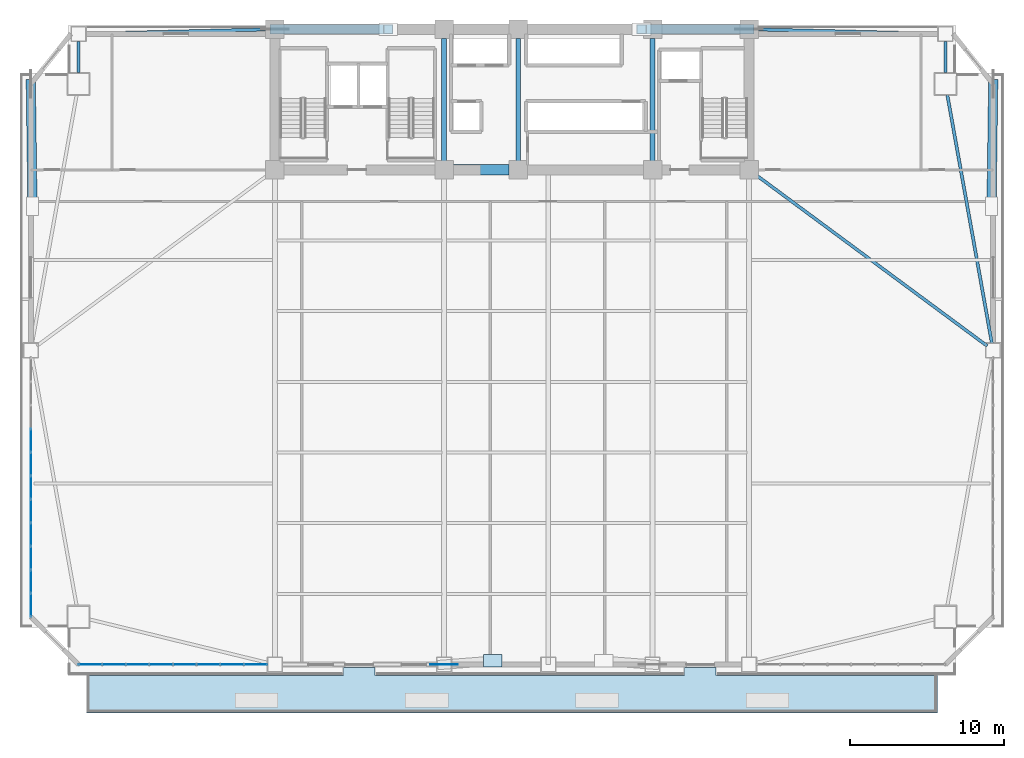
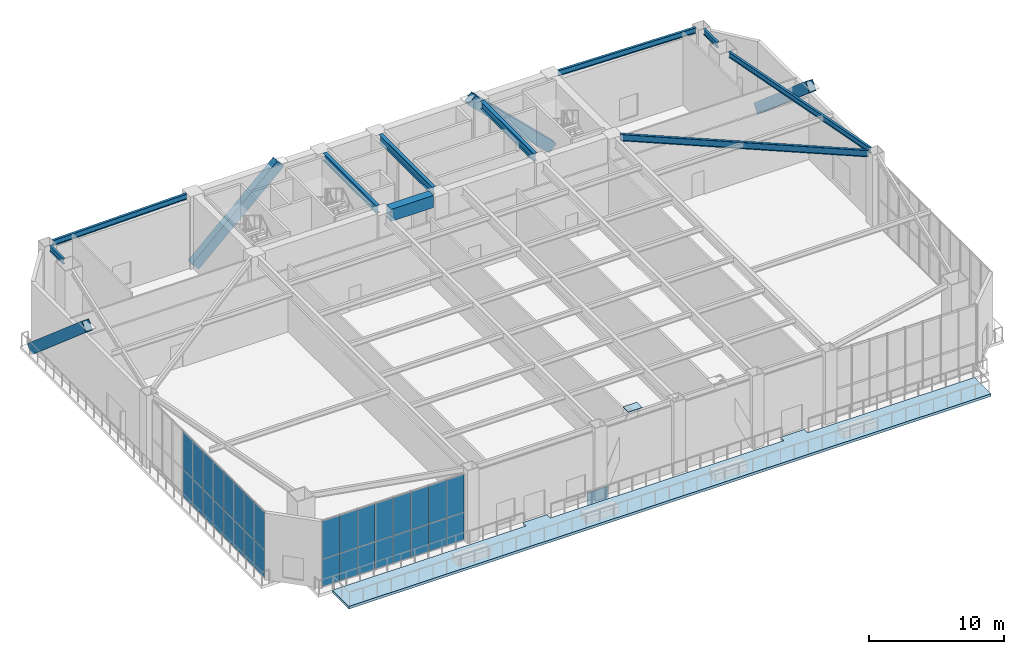
# One storey, part 12 of 22: 34 plates, 10 beams, 4 members, 1 slab, 2 elements without a shape of their own.
"""IFC4 building model written with IfcOpenShell, lengths in metres."""

from ifc_helpers import new_model, si_unit, direction, frame, origin, origin_2d, place, context, subcontext, project, spatial, polyline, rectangle, hollow_rectangle, i_section, outline, extrude, source, transform, mapped, material, layer, layer_set, material_profile, profile_set, type_object, element, aggregate, save


model = new_model("IFC4")

# Units and contexts
model_context = context("Model", 3, precision=1e-05, world=origin(), true_north=direction((0.0, 1.0)))
body_context = subcontext(model_context, "Body", "Model", "MODEL_VIEW")
ifc_project = project(units=[si_unit("LENGTHUNIT", "METRE"), si_unit("AREAUNIT", "SQUARE_METRE"), si_unit("VOLUMEUNIT", "CUBIC_METRE"), si_unit("PLANEANGLEUNIT", "RADIAN"), si_unit("MASSUNIT", "GRAM", prefix="KILO")], contexts=[model_context])

# Site, building, storey
site_placement = place(None, origin())
site = spatial("IfcSite", under=ifc_project, at=site_placement, CompositionType="ELEMENT")
building_placement = place(site_placement, origin())
building = spatial("IfcBuilding", under=site, at=building_placement, Name="Giltprow Tower", CompositionType="ELEMENT")
storey_placement = place(building_placement, frame((0.0, 0.0, 72.800048828125)))
storey = spatial("IfcBuildingStorey", under=building, at=storey_placement, Name="L18", CompositionType="ELEMENT", Elevation=72.800048828125)

# Beams
ifc_material_1 = material(Name="Concrete C60", Category="concrete")
ifc_material_profile_1 = material_profile(ifc_material_1, rectangle(XDim=0.699951171875, YDim=1.10009765625, at=origin_2d()), Name="RC 1100x700")
ifc_profile_set_1 = profile_set([ifc_material_profile_1], Name="Concrete C60")
beam_type_1 = type_object("IfcBeamType", Name="BM-CPL-RC1100", PredefinedType="LINTEL", material=ifc_profile_set_1)
shared_shape_1 = source(origin(), body_context, "Body", "SweptSolid", [
    extrude(rectangle(XDim=0.699951171875, YDim=1.10009765625, at=origin_2d()), origin(), (0.0, 0.0, 1.0), 3.6298828125),
])
beam_1_placement = place(storey_placement, frame((31.385009765625, 37.449951171875, 6.030029296875), z_axis=(1.0, 0.0, 0.0), x_axis=(0.0, 1.0, 0.0)))
element("IfcBeam", 1, at=beam_1_placement, inside=storey, type_object=beam_type_1, Name="L18 Core Coupling Beam CB-1", PredefinedType="LINTEL", context=body_context, shape_type="MappedRepresentation", body=[
    mapped(shared_shape_1, transform((0.0, 0.0, 0.0), x_axis=(1.0, 0.0, 0.0), y_axis=(0.0, 1.0, 0.0), z_axis=(0.0, 0.0, 1.0), scale=1.0)),
])
ifc_material_2 = material(Name="Structural steel Q355B", Category="steel")
ifc_material_profile_2 = material_profile(ifc_material_2, i_section(OverallWidth=0.300048828125, OverallDepth=0.699951171875, WebThickness=0.012939453125, FlangeThickness=0.02392578125, at=origin_2d()), Name="HN 700x300x13x24")
ifc_profile_set_2 = profile_set([ifc_material_profile_2], Name="Structural steel Q355B")
beam_type_2 = type_object("IfcBeamType", Name="BM-GIRD-HN700", PredefinedType="BEAM", material=ifc_profile_set_2)
shared_shape_2 = source(origin(), body_context, "Body", "SweptSolid", [
    extrude(i_section(OverallWidth=0.300048828125, OverallDepth=0.699951171875, WebThickness=0.012939453125, FlangeThickness=0.02392578125, at=origin_2d()), origin(), (0.0, 0.0, 1.0), 7.93017578125),
])
for number, where, z_axis, x_axis, name in (
    (2, (30.800048828125, 38.034912109375, 6.22998046875), (0.0, 1.0, 0.0), (-1.0, 0.0, 0.0), "L18 Core Tie Girder M1"),
    (3, (35.60009765625, 38.034912109375, 6.22998046875), (0.0, 1.0, 0.0), (-1.0, 0.0, 0.0), "L18 Core Tie Girder M2"),
    (4, (44.300048828125, 38.034912109375, 6.22998046875), (0.0, 1.0, 0.0), (-1.0, 0.0, 0.0), "L18 Core Tie Girder M3"),
):
    element("IfcBeam", number, at=place(storey_placement, frame(where, z_axis=z_axis, x_axis=x_axis)), inside=storey, type_object=beam_type_2, Name=name, PredefinedType="BEAM", context=body_context, shape_type="MappedRepresentation", body=[
        mapped(shared_shape_2, transform((0.0, 0.0, 0.0), x_axis=(1.0, 0.0, 0.0), y_axis=(0.0, 1.0, 0.0), z_axis=(0.0, 0.0, 1.0), scale=1.0)),
    ])
ifc_material_profile_3 = material_profile(ifc_material_2, i_section(OverallWidth=0.199951171875, OverallDepth=0.5, WebThickness=0.010009765625, FlangeThickness=0.01611328125, at=origin_2d()), Name="HN 500x200x10x16")
ifc_profile_set_3 = profile_set([ifc_material_profile_3], Name="Structural steel Q355B")
beam_type_3 = type_object("IfcBeamType", Name="BM-SPAN-HN500", PredefinedType="SPANDREL", material=ifc_profile_set_3)
shared_shape_3 = source(origin(), body_context, "Body", "SweptSolid", [
    extrude(i_section(OverallWidth=0.199951171875, OverallDepth=0.5, WebThickness=0.010009765625, FlangeThickness=0.01611328125, at=origin_2d()), origin(), (0.0, 0.0, 1.0), 16.305419921875),
])
beam_2_placement = place(storey_placement, frame((66.27490234375, 26.23193359375, 6.329833984375), z_axis=(-0.176621289492, 0.984278883294, 0.0), x_axis=(-0.984278883294, -0.176621289492, 0.0)))
element("IfcBeam", 5, at=beam_2_placement, inside=storey, type_object=beam_type_3, Name="L18 Perimeter Spandrel Beam E_MID-MC_NE", PredefinedType="SPANDREL", context=body_context, shape_type="MappedRepresentation", body=[
    mapped(shared_shape_3, transform((0.0, 0.0, 0.0), x_axis=(1.0, 0.0, 0.0), y_axis=(0.0, 1.0, 0.0), z_axis=(0.0, 0.0, 1.0), scale=1.0)),
])
shared_shape_4 = source(origin(), body_context, "Body", "SweptSolid", [
    extrude(i_section(OverallWidth=0.199951171875, OverallDepth=0.5, WebThickness=0.010009765625, FlangeThickness=0.01611328125, at=origin_2d()), origin(), (0.0, 0.0, 1.0), 2.02587890625),
])
for number, where, z_axis, x_axis, name in (
    (6, (63.264892578125, 43.739013671875, 6.329833984375), (0.0, 1.0, 0.0), (-1.0, 0.0, 0.0), "L18 Perimeter Spandrel Beam MC_NE-N_E"),
    (7, (7.135986328125, 45.764892578125, 6.329833984375), (0.0, -1.0, 0.0), (1.0, 0.0, 0.0), "L18 Perimeter Spandrel Beam N_W-MC_NW"),
):
    element("IfcBeam", number, at=place(storey_placement, frame(where, z_axis=z_axis, x_axis=x_axis)), inside=storey, type_object=beam_type_3, Name=name, PredefinedType="SPANDREL", context=body_context, shape_type="MappedRepresentation", body=[
        mapped(shared_shape_4, transform((0.0, 0.0, 0.0), x_axis=(1.0, 0.0, 0.0), y_axis=(0.0, 1.0, 0.0), z_axis=(0.0, 0.0, 1.0), scale=1.0)),
    ])
shared_shape_5 = source(origin(), body_context, "Body", "SweptSolid", [
    extrude(i_section(OverallWidth=0.199951171875, OverallDepth=0.5, WebThickness=0.010009765625, FlangeThickness=0.01611328125, at=origin_2d()), origin(), (0.0, 0.0, 1.0), 11.64697265625),
])
beam_3_placement = place(storey_placement, frame((7.62109375, 46.260986328125, 6.329833984375), z_axis=(0.999721416114, 0.023602757523, 0.0), x_axis=(-0.023602757523, 0.999721416114, 0.0)))
element("IfcBeam", 8, at=beam_3_placement, inside=storey, type_object=beam_type_3, Name="L18 North Wing Spandrel W", PredefinedType="SPANDREL", context=body_context, shape_type="MappedRepresentation", body=[
    mapped(shared_shape_5, transform((0.0, 0.0, 0.0), x_axis=(1.0, 0.0, 0.0), y_axis=(0.0, 1.0, 0.0), z_axis=(0.0, 0.0, 1.0), scale=1.0)),
])
shared_shape_6 = source(origin(), body_context, "Body", "SweptSolid", [
    extrude(i_section(OverallWidth=0.199951171875, OverallDepth=0.5, WebThickness=0.010009765625, FlangeThickness=0.01611328125, at=origin_2d()), origin(), (0.0, 0.0, 1.0), 11.648193359375),
])
beam_4_placement = place(storey_placement, frame((51.135009765625, 46.535888671875, 6.329833984375), z_axis=(0.999721474492, -0.023600284714, 0.0), x_axis=(0.023600284714, 0.999721474492, 0.0)))
element("IfcBeam", 9, at=beam_4_placement, inside=storey, type_object=beam_type_3, Name="L18 North Wing Spandrel E", PredefinedType="SPANDREL", context=body_context, shape_type="MappedRepresentation", body=[
    mapped(shared_shape_6, transform((0.0, 0.0, 0.0), x_axis=(1.0, 0.0, 0.0), y_axis=(0.0, 1.0, 0.0), z_axis=(0.0, 0.0, 1.0), scale=1.0)),
])
ifc_material_profile_4 = material_profile(ifc_material_2, i_section(OverallWidth=0.199951171875, OverallDepth=0.60009765625, WebThickness=0.010986328125, FlangeThickness=0.01708984375, at=origin_2d()), Name="HN 600x200x11x17")
ifc_profile_set_4 = profile_set([ifc_material_profile_4], Name="Structural steel Q355B")
beam_type_4 = type_object("IfcBeamType", Name="BM-GIRD-HN600", PredefinedType="BEAM", material=ifc_profile_set_4)
shared_shape_7 = source(origin(), body_context, "Body", "SweptSolid", [
    extrude(i_section(OverallWidth=0.199951171875, OverallDepth=0.60009765625, WebThickness=0.010986328125, FlangeThickness=0.01708984375, at=origin_2d()), origin(), (0.0, 0.0, 1.0), 18.5966796875),
])
beam_5_placement = place(storey_placement, frame((65.970947265625, 26.04296875, 6.280029296875), z_axis=(-0.803960274963, 0.59468300487, 0.0), x_axis=(-0.59468300487, -0.803960274963, 0.0)))
element("IfcBeam", 10, at=beam_5_placement, inside=storey, type_object=beam_type_4, Name="L18 East Wing Primary Girder", PredefinedType="BEAM", context=body_context, shape_type="MappedRepresentation", body=[
    mapped(shared_shape_7, transform((0.0, 0.0, 0.0), x_axis=(1.0, 0.0, 0.0), y_axis=(0.0, 1.0, 0.0), z_axis=(0.0, 0.0, 1.0), scale=1.0)),
])

# Members
ifc_material_3 = material(Name="Structural steel Q420GJC", Category="steel")
ifc_material_profile_5 = material_profile(ifc_material_3, hollow_rectangle(XDim=0.60009765625, YDim=0.89990234375, WallThickness=0.0400390625, at=origin_2d()), Name="RHS 900x600x40")
ifc_profile_set_5 = profile_set([ifc_material_profile_5], Name="Structural steel Q420GJC")
member_type = type_object("IfcMemberType", Name="MBR-MEGA-RHS900", PredefinedType="BRACE", material=ifc_profile_set_5)
shared_shape_8 = source(origin(), body_context, "Body", "SweptSolid", [
    extrude(hollow_rectangle(XDim=0.60009765625, YDim=0.89990234375, WallThickness=0.0400390625, at=origin_2d()), origin(), (0.0, 0.0, 1.0), 10.0029296875),
])
member_1_placement = place(storey_placement, frame((19.85009765625, 46.550048828125, -0.14013671875), z_axis=(0.733386073215, 0.0, 0.679812376773), x_axis=(0.0, 1.0, 0.0)))
element("IfcMember", 11, at=member_1_placement, inside=storey, type_object=member_type, Name="L18 Chevron Mega-Brace N-L", PredefinedType="BRACE", context=body_context, shape_type="MappedRepresentation", body=[
    mapped(shared_shape_8, transform((0.0, 0.0, 0.0), x_axis=(1.0, 0.0, 0.0), y_axis=(0.0, 1.0, 0.0), z_axis=(0.0, 0.0, 1.0), scale=1.0)),
])
shared_shape_9 = source(origin(), body_context, "Body", "SweptSolid", [
    extrude(hollow_rectangle(XDim=0.60009765625, YDim=0.89990234375, WallThickness=0.0400390625, at=origin_2d()), origin(), (0.0, 0.0, 1.0), 9.732666015625),
])
member_2_placement = place(storey_placement, frame((50.550048828125, 46.550048828125, -0.14013671875), z_axis=(-0.715435371366, 0.0, 0.698678917242), x_axis=(0.0, -1.0, 0.0)))
element("IfcMember", 12, at=member_2_placement, inside=storey, type_object=member_type, Name="L18 Chevron Mega-Brace N-R", PredefinedType="BRACE", context=body_context, shape_type="MappedRepresentation", body=[
    mapped(shared_shape_9, transform((0.0, 0.0, 0.0), x_axis=(1.0, 0.0, 0.0), y_axis=(0.0, 1.0, 0.0), z_axis=(0.0, 0.0, 1.0), scale=1.0)),
])
shared_shape_10 = source(origin(), body_context, "Body", "SweptSolid", [
    extrude(hollow_rectangle(XDim=0.60009765625, YDim=0.89990234375, WallThickness=0.0400390625, at=origin_2d()), origin(), (0.0, 0.0, 1.0), 10.432373046875),
])
for number, where, z_axis, x_axis, name in (
    (13, (4.0400390625, 43.00390625, 0.0), (0.010437374307, -0.758300985794, 0.651821046117), (0.99990528744, 0.013762854001, 0.0), "L18 Chevron Mega-Brace W-R"),
    (14, (66.361083984375, 43.00390625, 0.0), (-0.010460773933, -0.758300800366, 0.651820886726), (0.999904862304, -0.013793706553, 0.0), "L18 Chevron Mega-Brace E-R"),
):
    element("IfcMember", number, at=place(storey_placement, frame(where, z_axis=z_axis, x_axis=x_axis)), inside=storey, type_object=member_type, Name=name, PredefinedType="BRACE", context=body_context, shape_type="MappedRepresentation", body=[
        mapped(shared_shape_10, transform((0.0, 0.0, 0.0), x_axis=(1.0, 0.0, 0.0), y_axis=(0.0, 1.0, 0.0), z_axis=(0.0, 0.0, 1.0), scale=1.0)),
    ])

# Slab
ifc_material_4 = material(Name="Concrete C40", Category="concrete")
ifc_layer_1 = layer(ifc_material_4, 0.239990234375, Name="Concrete C40")
ifc_layer_set_1 = layer_set([ifc_layer_1], Name="Concrete C40")
slab_type = type_object("IfcSlabType", Name="SLB-SKYGARDEN-ROOF-240", PredefinedType="FLOOR", material=ifc_layer_set_1)
slab_placement = place(storey_placement, frame((0.0, 0.0, -0.239990234375)))
element("IfcSlab", 15, at=slab_placement, inside=storey, type_object=slab_type, Name="L18 Planted Sky Garden Terrace Slab", PredefinedType="FLOOR", context=body_context, shape_type="SweptSolid", body=[
    extrude(outline(polyline([(62.763916015625, 4.708984375), (62.763916015625, 2.259033203125), (7.635986328125, 2.259033203125), (7.635986328125, 4.708984375), (24.280029296875, 4.708984375), (24.280029296875, 5.208984375), (26.320068359375, 5.208984375), (26.320068359375, 4.708984375), (46.3798828125, 4.708984375), (46.3798828125, 5.208984375), (48.419921875, 5.208984375), (48.419921875, 4.708984375), (62.763916015625, 4.708984375)])), origin(), (0.0, 0.0, 1.0), 0.239990234375),
])

# Plates
plate_type_1 = type_object("IfcPlateType", Name="PLT-NODE-MBN1", PredefinedType="USERDEFINED", material=ifc_material_3)
shared_shape_11 = source(origin(), body_context, "Body", "SweptSolid", [
    extrude(rectangle(XDim=1.800048828125, YDim=0.050048828125, at=origin_2d()), origin(), (0.0, 0.0, 1.0), 1.14990234375),
])
plate_1_placement = place(storey_placement, frame((30.800048828125, 5.408935546875, -0.574951171875), z_axis=(0.0, 0.0, 1.0), x_axis=(1.0, 0.0, 0.0)))
element("IfcPlate", 16, at=plate_1_placement, inside=storey, type_object=plate_type_1, Name="Mega-Brace Node L18-S-LA", ObjectType="GUSSET", PredefinedType="USERDEFINED", context=body_context, shape_type="MappedRepresentation", body=[
    mapped(shared_shape_11, transform((0.0, 0.0, 0.0), x_axis=(1.0, 0.0, 0.0), y_axis=(0.0, 1.0, 0.0), z_axis=(0.0, 0.0, 1.0), scale=1.0)),
])
plate_type_2 = type_object("IfcPlateType", Name="PLT-CAP-SEAL", PredefinedType="USERDEFINED", material=ifc_material_3)
shared_shape_12 = source(origin(), body_context, "Body", "SweptSolid", [
    extrude(rectangle(XDim=1.199951171875, YDim=0.800048828125, at=origin_2d()), origin(), (0.0, 0.0, 1.0), 0.034912109375),
])
plate_2_placement = place(storey_placement, frame((33.944091796875, 5.654052734375, 6.78271484375), z_axis=(0.0, 0.0, 1.0), x_axis=(1.0, 0.0, 0.0)))
element("IfcPlate", 17, at=plate_2_placement, inside=storey, type_object=plate_type_2, Name="Mega-Brace Node L18-S-LB", ObjectType="SPLICE", PredefinedType="USERDEFINED", context=body_context, shape_type="MappedRepresentation", body=[
    mapped(shared_shape_12, transform((0.0, 0.0, 0.0), x_axis=(1.0, 0.0, 0.0), y_axis=(0.0, 1.0, 0.0), z_axis=(0.0, 0.0, 1.0), scale=1.0)),
])

# Curtain wall, plates
ifc_material_5 = material(Name="Anodized bronze", Category="metal")
ifc_layer_2 = layer(ifc_material_5, 0.179931640625, Name="Anodized bronze")
ifc_layer_set_2 = layer_set([ifc_layer_2], Name="Anodized bronze")
curtain_wall_type = type_object("IfcCurtainWallType", Name="CW-SKYGARDEN", PredefinedType="NOTDEFINED", material=ifc_layer_set_2)
curtain_wall_1_placement = place(storey_placement, origin())
curtain_wall_1 = element("IfcCurtainWall", 18, at=curtain_wall_1_placement, inside=storey, type_object=curtain_wall_type, Name="L18 South Recessed Curtain Wall 1", PredefinedType="NOTDEFINED")
ifc_material_6 = material(Name="Insulated glass", Category="glass")
plate_type_3 = type_object("IfcPlateType", Name="CW-PANEL-IGU-28", PredefinedType="CURTAIN_PANEL", material=ifc_material_6)
shared_shape_13 = source(origin(), body_context, "Body", "SweptSolid", [
    extrude(rectangle(XDim=1.4970703125, YDim=0.028076171875, at=origin_2d()), origin(), (0.0, 0.0, 1.0), 2.47705078125),
])
plate_3_placement = place(storey_placement, frame((7.89892578125, 5.408935546875, 0.054443359375), z_axis=(0.0, 0.0, 1.0), x_axis=(1.0, 0.0, 0.0)))
plate_3 = element("IfcPlate", 19, at=plate_3_placement, type_object=plate_type_3, Name="L18 South Recessed Curtain Wall 1 Glazing Panel 1-1", PredefinedType="CURTAIN_PANEL", context=body_context, shape_type="MappedRepresentation", body=[
    mapped(shared_shape_13, transform((0.0, 0.0, 0.0), x_axis=(1.0, 0.0, 0.0), y_axis=(0.0, 1.0, 0.0), z_axis=(0.0, 0.0, 1.0), scale=1.0)),
])
plate_4_placement = place(storey_placement, frame((9.426025390625, 5.408935546875, 0.054443359375), z_axis=(0.0, 0.0, 1.0), x_axis=(1.0, 0.0, 0.0)))
plate_4 = element("IfcPlate", 20, at=plate_4_placement, type_object=plate_type_3, Name="L18 South Recessed Curtain Wall 1 Glazing Panel 2-1", PredefinedType="CURTAIN_PANEL", context=body_context, shape_type="MappedRepresentation", body=[
    mapped(shared_shape_13, transform((0.0, 0.0, 0.0), x_axis=(1.0, 0.0, 0.0), y_axis=(0.0, 1.0, 0.0), z_axis=(0.0, 0.0, 1.0), scale=1.0)),
])
plate_5_placement = place(storey_placement, frame((10.952880859375, 5.408935546875, 0.054443359375), z_axis=(0.0, 0.0, 1.0), x_axis=(1.0, 0.0, 0.0)))
plate_5 = element("IfcPlate", 21, at=plate_5_placement, type_object=plate_type_3, Name="L18 South Recessed Curtain Wall 1 Glazing Panel 3-1", PredefinedType="CURTAIN_PANEL", context=body_context, shape_type="MappedRepresentation", body=[
    mapped(shared_shape_13, transform((0.0, 0.0, 0.0), x_axis=(1.0, 0.0, 0.0), y_axis=(0.0, 1.0, 0.0), z_axis=(0.0, 0.0, 1.0), scale=1.0)),
])
plate_6_placement = place(storey_placement, frame((12.47998046875, 5.408935546875, 0.054443359375), z_axis=(0.0, 0.0, 1.0), x_axis=(1.0, 0.0, 0.0)))
plate_6 = element("IfcPlate", 22, at=plate_6_placement, type_object=plate_type_3, Name="L18 South Recessed Curtain Wall 1 Glazing Panel 4-1", PredefinedType="CURTAIN_PANEL", context=body_context, shape_type="MappedRepresentation", body=[
    mapped(shared_shape_13, transform((0.0, 0.0, 0.0), x_axis=(1.0, 0.0, 0.0), y_axis=(0.0, 1.0, 0.0), z_axis=(0.0, 0.0, 1.0), scale=1.0)),
])
plate_7_placement = place(storey_placement, frame((14.006103515625, 5.408935546875, 0.054443359375), z_axis=(0.0, 0.0, 1.0), x_axis=(1.0, 0.0, 0.0)))
plate_7 = element("IfcPlate", 23, at=plate_7_placement, type_object=plate_type_3, Name="L18 South Recessed Curtain Wall 1 Glazing Panel 5-1", PredefinedType="CURTAIN_PANEL", context=body_context, shape_type="MappedRepresentation", body=[
    mapped(shared_shape_13, transform((0.0, 0.0, 0.0), x_axis=(1.0, 0.0, 0.0), y_axis=(0.0, 1.0, 0.0), z_axis=(0.0, 0.0, 1.0), scale=1.0)),
])
plate_8_placement = place(storey_placement, frame((15.532958984375, 5.408935546875, 0.054443359375), z_axis=(0.0, 0.0, 1.0), x_axis=(1.0, 0.0, 0.0)))
plate_8 = element("IfcPlate", 24, at=plate_8_placement, type_object=plate_type_3, Name="L18 South Recessed Curtain Wall 1 Glazing Panel 6-1", PredefinedType="CURTAIN_PANEL", context=body_context, shape_type="MappedRepresentation", body=[
    mapped(shared_shape_13, transform((0.0, 0.0, 0.0), x_axis=(1.0, 0.0, 0.0), y_axis=(0.0, 1.0, 0.0), z_axis=(0.0, 0.0, 1.0), scale=1.0)),
])
plate_9_placement = place(storey_placement, frame((17.06005859375, 5.408935546875, 0.054443359375), z_axis=(0.0, 0.0, 1.0), x_axis=(1.0, 0.0, 0.0)))
plate_9 = element("IfcPlate", 25, at=plate_9_placement, type_object=plate_type_3, Name="L18 South Recessed Curtain Wall 1 Glazing Panel 7-1", PredefinedType="CURTAIN_PANEL", context=body_context, shape_type="MappedRepresentation", body=[
    mapped(shared_shape_13, transform((0.0, 0.0, 0.0), x_axis=(1.0, 0.0, 0.0), y_axis=(0.0, 1.0, 0.0), z_axis=(0.0, 0.0, 1.0), scale=1.0)),
])
plate_10_placement = place(storey_placement, frame((18.5869140625, 5.408935546875, 0.054443359375), z_axis=(0.0, 0.0, 1.0), x_axis=(1.0, 0.0, 0.0)))
plate_10 = element("IfcPlate", 26, at=plate_10_placement, type_object=plate_type_3, Name="L18 South Recessed Curtain Wall 1 Glazing Panel 8-1", PredefinedType="CURTAIN_PANEL", context=body_context, shape_type="MappedRepresentation", body=[
    mapped(shared_shape_13, transform((0.0, 0.0, 0.0), x_axis=(1.0, 0.0, 0.0), y_axis=(0.0, 1.0, 0.0), z_axis=(0.0, 0.0, 1.0), scale=1.0)),
])
shared_shape_14 = source(origin(), body_context, "Body", "SweptSolid", [
    extrude(rectangle(XDim=1.4970703125, YDim=0.028076171875, at=origin_2d()), origin(), (0.0, 0.0, 1.0), 3.447021484375),
])
plate_11_placement = place(storey_placement, frame((7.89892578125, 5.408935546875, 2.55859375), z_axis=(0.0, 0.0, 1.0), x_axis=(1.0, 0.0, 0.0)))
plate_11 = element("IfcPlate", 27, at=plate_11_placement, type_object=plate_type_3, Name="L18 South Recessed Curtain Wall 1 Glazing Panel 1-2", PredefinedType="CURTAIN_PANEL", context=body_context, shape_type="MappedRepresentation", body=[
    mapped(shared_shape_14, transform((0.0, 0.0, 0.0), x_axis=(1.0, 0.0, 0.0), y_axis=(0.0, 1.0, 0.0), z_axis=(0.0, 0.0, 1.0), scale=1.0)),
])
plate_12_placement = place(storey_placement, frame((9.426025390625, 5.408935546875, 2.55859375), z_axis=(0.0, 0.0, 1.0), x_axis=(1.0, 0.0, 0.0)))
plate_12 = element("IfcPlate", 28, at=plate_12_placement, type_object=plate_type_3, Name="L18 South Recessed Curtain Wall 1 Glazing Panel 2-2", PredefinedType="CURTAIN_PANEL", context=body_context, shape_type="MappedRepresentation", body=[
    mapped(shared_shape_14, transform((0.0, 0.0, 0.0), x_axis=(1.0, 0.0, 0.0), y_axis=(0.0, 1.0, 0.0), z_axis=(0.0, 0.0, 1.0), scale=1.0)),
])
plate_13_placement = place(storey_placement, frame((10.952880859375, 5.408935546875, 2.55859375), z_axis=(0.0, 0.0, 1.0), x_axis=(1.0, 0.0, 0.0)))
plate_13 = element("IfcPlate", 29, at=plate_13_placement, type_object=plate_type_3, Name="L18 South Recessed Curtain Wall 1 Glazing Panel 3-2", PredefinedType="CURTAIN_PANEL", context=body_context, shape_type="MappedRepresentation", body=[
    mapped(shared_shape_14, transform((0.0, 0.0, 0.0), x_axis=(1.0, 0.0, 0.0), y_axis=(0.0, 1.0, 0.0), z_axis=(0.0, 0.0, 1.0), scale=1.0)),
])
plate_14_placement = place(storey_placement, frame((12.47998046875, 5.408935546875, 2.55859375), z_axis=(0.0, 0.0, 1.0), x_axis=(1.0, 0.0, 0.0)))
plate_14 = element("IfcPlate", 30, at=plate_14_placement, type_object=plate_type_3, Name="L18 South Recessed Curtain Wall 1 Glazing Panel 4-2", PredefinedType="CURTAIN_PANEL", context=body_context, shape_type="MappedRepresentation", body=[
    mapped(shared_shape_14, transform((0.0, 0.0, 0.0), x_axis=(1.0, 0.0, 0.0), y_axis=(0.0, 1.0, 0.0), z_axis=(0.0, 0.0, 1.0), scale=1.0)),
])
plate_15_placement = place(storey_placement, frame((14.006103515625, 5.408935546875, 2.55859375), z_axis=(0.0, 0.0, 1.0), x_axis=(1.0, 0.0, 0.0)))
plate_15 = element("IfcPlate", 31, at=plate_15_placement, type_object=plate_type_3, Name="L18 South Recessed Curtain Wall 1 Glazing Panel 5-2", PredefinedType="CURTAIN_PANEL", context=body_context, shape_type="MappedRepresentation", body=[
    mapped(shared_shape_14, transform((0.0, 0.0, 0.0), x_axis=(1.0, 0.0, 0.0), y_axis=(0.0, 1.0, 0.0), z_axis=(0.0, 0.0, 1.0), scale=1.0)),
])
plate_16_placement = place(storey_placement, frame((15.532958984375, 5.408935546875, 2.55859375), z_axis=(0.0, 0.0, 1.0), x_axis=(1.0, 0.0, 0.0)))
plate_16 = element("IfcPlate", 32, at=plate_16_placement, type_object=plate_type_3, Name="L18 South Recessed Curtain Wall 1 Glazing Panel 6-2", PredefinedType="CURTAIN_PANEL", context=body_context, shape_type="MappedRepresentation", body=[
    mapped(shared_shape_14, transform((0.0, 0.0, 0.0), x_axis=(1.0, 0.0, 0.0), y_axis=(0.0, 1.0, 0.0), z_axis=(0.0, 0.0, 1.0), scale=1.0)),
])
plate_17_placement = place(storey_placement, frame((17.06005859375, 5.408935546875, 2.55859375), z_axis=(0.0, 0.0, 1.0), x_axis=(1.0, 0.0, 0.0)))
plate_17 = element("IfcPlate", 33, at=plate_17_placement, type_object=plate_type_3, Name="L18 South Recessed Curtain Wall 1 Glazing Panel 7-2", PredefinedType="CURTAIN_PANEL", context=body_context, shape_type="MappedRepresentation", body=[
    mapped(shared_shape_14, transform((0.0, 0.0, 0.0), x_axis=(1.0, 0.0, 0.0), y_axis=(0.0, 1.0, 0.0), z_axis=(0.0, 0.0, 1.0), scale=1.0)),
])
plate_18_placement = place(storey_placement, frame((18.5869140625, 5.408935546875, 2.55859375), z_axis=(0.0, 0.0, 1.0), x_axis=(1.0, 0.0, 0.0)))
plate_18 = element("IfcPlate", 34, at=plate_18_placement, type_object=plate_type_3, Name="L18 South Recessed Curtain Wall 1 Glazing Panel 8-2", PredefinedType="CURTAIN_PANEL", context=body_context, shape_type="MappedRepresentation", body=[
    mapped(shared_shape_14, transform((0.0, 0.0, 0.0), x_axis=(1.0, 0.0, 0.0), y_axis=(0.0, 1.0, 0.0), z_axis=(0.0, 0.0, 1.0), scale=1.0)),
])
aggregate(curtain_wall_1, [plate_3, plate_11, plate_4, plate_12, plate_5, plate_13, plate_6, plate_14, plate_7, plate_15, plate_8, plate_16, plate_9, plate_17, plate_10, plate_18])

curtain_wall_2_placement = place(storey_placement, origin())
curtain_wall_2 = element("IfcCurtainWall", 35, at=curtain_wall_2_placement, inside=storey, type_object=curtain_wall_type, Name="L18 W Sky Garden Glazing", PredefinedType="NOTDEFINED")
shared_shape_15 = source(origin(), body_context, "Body", "SweptSolid", [
    extrude(rectangle(XDim=1.492919921875, YDim=0.028076171875, at=origin_2d()), origin(), (0.0, 0.0, 1.0), 2.47705078125),
])
plate_19_placement = place(storey_placement, frame((4.0400390625, 9.26611328125, 0.054443359375), z_axis=(0.0, 0.0, 1.0), x_axis=(0.0, 1.0, 0.0)))
plate_19 = element("IfcPlate", 36, at=plate_19_placement, type_object=plate_type_3, Name="L18 W Sky Garden Glazing Glazing Panel 1-1", PredefinedType="CURTAIN_PANEL", context=body_context, shape_type="MappedRepresentation", body=[
    mapped(shared_shape_15, transform((0.0, 0.0, 0.0), x_axis=(1.0, 0.0, 0.0), y_axis=(0.0, 1.0, 0.0), z_axis=(0.0, 0.0, 1.0), scale=1.0)),
])
plate_20_placement = place(storey_placement, frame((4.0400390625, 10.7890625, 0.054443359375), z_axis=(0.0, 0.0, 1.0), x_axis=(0.0, 1.0, 0.0)))
plate_20 = element("IfcPlate", 37, at=plate_20_placement, type_object=plate_type_3, Name="L18 W Sky Garden Glazing Glazing Panel 2-1", PredefinedType="CURTAIN_PANEL", context=body_context, shape_type="MappedRepresentation", body=[
    mapped(shared_shape_15, transform((0.0, 0.0, 0.0), x_axis=(1.0, 0.0, 0.0), y_axis=(0.0, 1.0, 0.0), z_axis=(0.0, 0.0, 1.0), scale=1.0)),
])
plate_21_placement = place(storey_placement, frame((4.0400390625, 12.31201171875, 0.054443359375), z_axis=(0.0, 0.0, 1.0), x_axis=(0.0, 1.0, 0.0)))
plate_21 = element("IfcPlate", 38, at=plate_21_placement, type_object=plate_type_3, Name="L18 W Sky Garden Glazing Glazing Panel 3-1", PredefinedType="CURTAIN_PANEL", context=body_context, shape_type="MappedRepresentation", body=[
    mapped(shared_shape_15, transform((0.0, 0.0, 0.0), x_axis=(1.0, 0.0, 0.0), y_axis=(0.0, 1.0, 0.0), z_axis=(0.0, 0.0, 1.0), scale=1.0)),
])
plate_22_placement = place(storey_placement, frame((4.0400390625, 13.8349609375, 0.054443359375), z_axis=(0.0, 0.0, 1.0), x_axis=(0.0, 1.0, 0.0)))
plate_22 = element("IfcPlate", 39, at=plate_22_placement, type_object=plate_type_3, Name="L18 W Sky Garden Glazing Glazing Panel 4-1", PredefinedType="CURTAIN_PANEL", context=body_context, shape_type="MappedRepresentation", body=[
    mapped(shared_shape_15, transform((0.0, 0.0, 0.0), x_axis=(1.0, 0.0, 0.0), y_axis=(0.0, 1.0, 0.0), z_axis=(0.0, 0.0, 1.0), scale=1.0)),
])
plate_23_placement = place(storey_placement, frame((4.0400390625, 15.35693359375, 0.054443359375), z_axis=(0.0, 0.0, 1.0), x_axis=(0.0, 1.0, 0.0)))
plate_23 = element("IfcPlate", 40, at=plate_23_placement, type_object=plate_type_3, Name="L18 W Sky Garden Glazing Glazing Panel 5-1", PredefinedType="CURTAIN_PANEL", context=body_context, shape_type="MappedRepresentation", body=[
    mapped(shared_shape_15, transform((0.0, 0.0, 0.0), x_axis=(1.0, 0.0, 0.0), y_axis=(0.0, 1.0, 0.0), z_axis=(0.0, 0.0, 1.0), scale=1.0)),
])
plate_24_placement = place(storey_placement, frame((4.0400390625, 16.8798828125, 0.054443359375), z_axis=(0.0, 0.0, 1.0), x_axis=(0.0, 1.0, 0.0)))
plate_24 = element("IfcPlate", 41, at=plate_24_placement, type_object=plate_type_3, Name="L18 W Sky Garden Glazing Glazing Panel 6-1", PredefinedType="CURTAIN_PANEL", context=body_context, shape_type="MappedRepresentation", body=[
    mapped(shared_shape_15, transform((0.0, 0.0, 0.0), x_axis=(1.0, 0.0, 0.0), y_axis=(0.0, 1.0, 0.0), z_axis=(0.0, 0.0, 1.0), scale=1.0)),
])
plate_25_placement = place(storey_placement, frame((4.0400390625, 18.403076171875, 0.054443359375), z_axis=(0.0, 0.0, 1.0), x_axis=(0.0, 1.0, 0.0)))
plate_25 = element("IfcPlate", 42, at=plate_25_placement, type_object=plate_type_3, Name="L18 W Sky Garden Glazing Glazing Panel 7-1", PredefinedType="CURTAIN_PANEL", context=body_context, shape_type="MappedRepresentation", body=[
    mapped(shared_shape_15, transform((0.0, 0.0, 0.0), x_axis=(1.0, 0.0, 0.0), y_axis=(0.0, 1.0, 0.0), z_axis=(0.0, 0.0, 1.0), scale=1.0)),
])
plate_26_placement = place(storey_placement, frame((4.0400390625, 19.925048828125, 0.054443359375), z_axis=(0.0, 0.0, 1.0), x_axis=(0.0, 1.0, 0.0)))
plate_26 = element("IfcPlate", 43, at=plate_26_placement, type_object=plate_type_3, Name="L18 W Sky Garden Glazing Glazing Panel 8-1", PredefinedType="CURTAIN_PANEL", context=body_context, shape_type="MappedRepresentation", body=[
    mapped(shared_shape_15, transform((0.0, 0.0, 0.0), x_axis=(1.0, 0.0, 0.0), y_axis=(0.0, 1.0, 0.0), z_axis=(0.0, 0.0, 1.0), scale=1.0)),
])
shared_shape_16 = source(origin(), body_context, "Body", "SweptSolid", [
    extrude(rectangle(XDim=1.492919921875, YDim=0.028076171875, at=origin_2d()), origin(), (0.0, 0.0, 1.0), 3.447021484375),
])
plate_27_placement = place(storey_placement, frame((4.0400390625, 9.26611328125, 2.55859375), z_axis=(0.0, 0.0, 1.0), x_axis=(0.0, 1.0, 0.0)))
plate_27 = element("IfcPlate", 44, at=plate_27_placement, type_object=plate_type_3, Name="L18 W Sky Garden Glazing Glazing Panel 1-2", PredefinedType="CURTAIN_PANEL", context=body_context, shape_type="MappedRepresentation", body=[
    mapped(shared_shape_16, transform((0.0, 0.0, 0.0), x_axis=(1.0, 0.0, 0.0), y_axis=(0.0, 1.0, 0.0), z_axis=(0.0, 0.0, 1.0), scale=1.0)),
])
plate_28_placement = place(storey_placement, frame((4.0400390625, 10.7890625, 2.55859375), z_axis=(0.0, 0.0, 1.0), x_axis=(0.0, 1.0, 0.0)))
plate_28 = element("IfcPlate", 45, at=plate_28_placement, type_object=plate_type_3, Name="L18 W Sky Garden Glazing Glazing Panel 2-2", PredefinedType="CURTAIN_PANEL", context=body_context, shape_type="MappedRepresentation", body=[
    mapped(shared_shape_16, transform((0.0, 0.0, 0.0), x_axis=(1.0, 0.0, 0.0), y_axis=(0.0, 1.0, 0.0), z_axis=(0.0, 0.0, 1.0), scale=1.0)),
])
plate_29_placement = place(storey_placement, frame((4.0400390625, 12.31201171875, 2.55859375), z_axis=(0.0, 0.0, 1.0), x_axis=(0.0, 1.0, 0.0)))
plate_29 = element("IfcPlate", 46, at=plate_29_placement, type_object=plate_type_3, Name="L18 W Sky Garden Glazing Glazing Panel 3-2", PredefinedType="CURTAIN_PANEL", context=body_context, shape_type="MappedRepresentation", body=[
    mapped(shared_shape_16, transform((0.0, 0.0, 0.0), x_axis=(1.0, 0.0, 0.0), y_axis=(0.0, 1.0, 0.0), z_axis=(0.0, 0.0, 1.0), scale=1.0)),
])
plate_30_placement = place(storey_placement, frame((4.0400390625, 13.8349609375, 2.55859375), z_axis=(0.0, 0.0, 1.0), x_axis=(0.0, 1.0, 0.0)))
plate_30 = element("IfcPlate", 47, at=plate_30_placement, type_object=plate_type_3, Name="L18 W Sky Garden Glazing Glazing Panel 4-2", PredefinedType="CURTAIN_PANEL", context=body_context, shape_type="MappedRepresentation", body=[
    mapped(shared_shape_16, transform((0.0, 0.0, 0.0), x_axis=(1.0, 0.0, 0.0), y_axis=(0.0, 1.0, 0.0), z_axis=(0.0, 0.0, 1.0), scale=1.0)),
])
plate_31_placement = place(storey_placement, frame((4.0400390625, 15.35693359375, 2.55859375), z_axis=(0.0, 0.0, 1.0), x_axis=(0.0, 1.0, 0.0)))
plate_31 = element("IfcPlate", 48, at=plate_31_placement, type_object=plate_type_3, Name="L18 W Sky Garden Glazing Glazing Panel 5-2", PredefinedType="CURTAIN_PANEL", context=body_context, shape_type="MappedRepresentation", body=[
    mapped(shared_shape_16, transform((0.0, 0.0, 0.0), x_axis=(1.0, 0.0, 0.0), y_axis=(0.0, 1.0, 0.0), z_axis=(0.0, 0.0, 1.0), scale=1.0)),
])
plate_32_placement = place(storey_placement, frame((4.0400390625, 16.8798828125, 2.55859375), z_axis=(0.0, 0.0, 1.0), x_axis=(0.0, 1.0, 0.0)))
plate_32 = element("IfcPlate", 49, at=plate_32_placement, type_object=plate_type_3, Name="L18 W Sky Garden Glazing Glazing Panel 6-2", PredefinedType="CURTAIN_PANEL", context=body_context, shape_type="MappedRepresentation", body=[
    mapped(shared_shape_16, transform((0.0, 0.0, 0.0), x_axis=(1.0, 0.0, 0.0), y_axis=(0.0, 1.0, 0.0), z_axis=(0.0, 0.0, 1.0), scale=1.0)),
])
plate_33_placement = place(storey_placement, frame((4.0400390625, 18.403076171875, 2.55859375), z_axis=(0.0, 0.0, 1.0), x_axis=(0.0, 1.0, 0.0)))
plate_33 = element("IfcPlate", 50, at=plate_33_placement, type_object=plate_type_3, Name="L18 W Sky Garden Glazing Glazing Panel 7-2", PredefinedType="CURTAIN_PANEL", context=body_context, shape_type="MappedRepresentation", body=[
    mapped(shared_shape_16, transform((0.0, 0.0, 0.0), x_axis=(1.0, 0.0, 0.0), y_axis=(0.0, 1.0, 0.0), z_axis=(0.0, 0.0, 1.0), scale=1.0)),
])
plate_34_placement = place(storey_placement, frame((4.0400390625, 19.925048828125, 2.55859375), z_axis=(0.0, 0.0, 1.0), x_axis=(0.0, 1.0, 0.0)))
plate_34 = element("IfcPlate", 51, at=plate_34_placement, type_object=plate_type_3, Name="L18 W Sky Garden Glazing Glazing Panel 8-2", PredefinedType="CURTAIN_PANEL", context=body_context, shape_type="MappedRepresentation", body=[
    mapped(shared_shape_16, transform((0.0, 0.0, 0.0), x_axis=(1.0, 0.0, 0.0), y_axis=(0.0, 1.0, 0.0), z_axis=(0.0, 0.0, 1.0), scale=1.0)),
])
aggregate(curtain_wall_2, [plate_19, plate_27, plate_20, plate_28, plate_21, plate_29, plate_22, plate_30, plate_23, plate_31, plate_24, plate_32, plate_25, plate_33, plate_26, plate_34])

save(model, "model.ifc")
